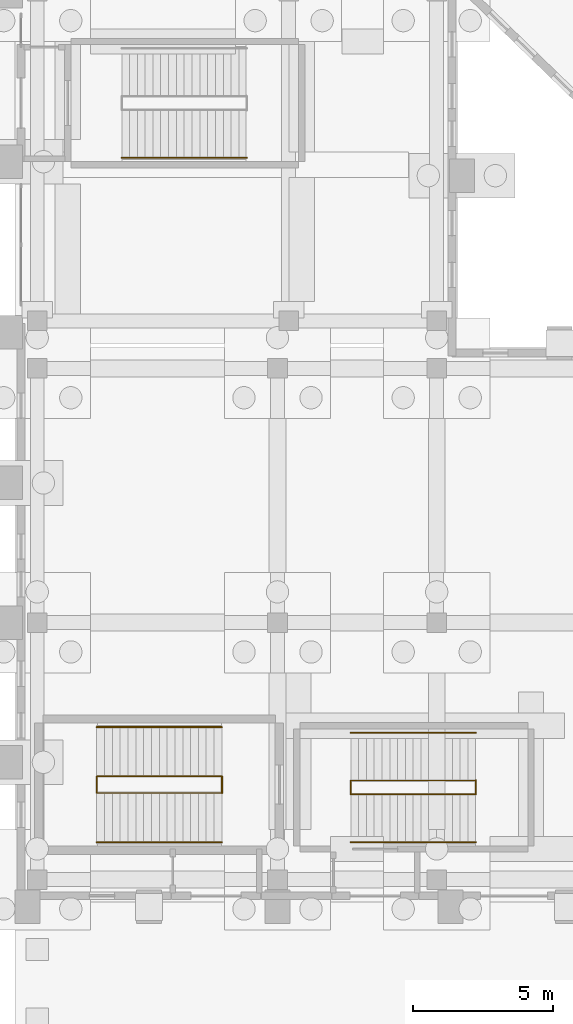
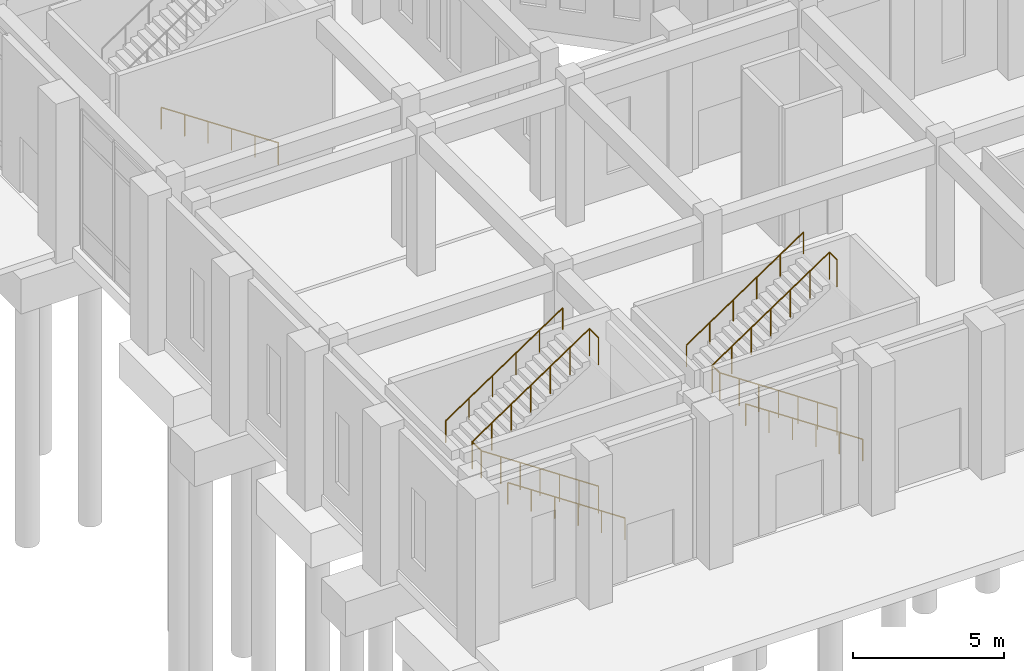
# One storey, part 128 of 143: 9 railings.
"""IFC4 building model written with IfcOpenShell, lengths in metres."""

from ifc_helpers import new_model, si_unit, derived_unit, direction, frame, origin, origin_2d, place, context, subcontext, project, spatial, circle, extrude, material, type_object, element, save


model = new_model("IFC4")

# Units and contexts
model_context = context("Model", 3, precision=1e-05, world=origin(), true_north=direction((0.0, 1.0)))
body_context = subcontext(model_context, "Body", "Model", "MODEL_VIEW")
ifc_project = project(units=[si_unit("LENGTHUNIT", "METRE"), si_unit("AREAUNIT", "SQUARE_METRE"), si_unit("VOLUMEUNIT", "CUBIC_METRE"), si_unit("PLANEANGLEUNIT", "RADIAN"), si_unit("MASSUNIT", "GRAM", prefix="KILO"), derived_unit("THERMALTRANSMITTANCEUNIT", [(si_unit("MASSUNIT", "GRAM", prefix="KILO"), 1), (si_unit("TIMEUNIT", "SECOND"), -3), (si_unit("THERMODYNAMICTEMPERATUREUNIT", "KELVIN"), -1)])], contexts=[model_context])

# Site, building, storey
site_placement = place(None, origin())
site = spatial("IfcSite", under=ifc_project, at=site_placement, CompositionType="ELEMENT")
building_placement = place(site_placement, origin())
building = spatial("IfcBuilding", under=site, at=building_placement, Name="Valcora Ridge Arena", CompositionType="ELEMENT")
storey_placement = place(building_placement, origin())
storey = spatial("IfcBuildingStorey", under=building, at=storey_placement, Name="L00", CompositionType="ELEMENT", Elevation=0.0)

# Railings
ifc_material = material(Name="Galvanized painted steel ASTM A500 Grade B", Category="steel")
railing_type_1 = type_object("IfcRailingType", Name="TY-RAILING-GRD-STAIR-1120", PredefinedType="GUARDRAIL", material=ifc_material)
railing_1_placement = place(storey_placement, frame((7.409912109375, 3.89990234375, 0.0)))
element("IfcRailing", 1, at=railing_1_placement, inside=storey, type_object=railing_type_1, Name="GRD-STAIR-1120 RAL-SG-0061", PredefinedType="GUARDRAIL", context=body_context, shape_type="SweptSolid", body=[
    extrude(circle(Radius=0.02392578125, at=origin_2d()), frame((0.0, 0.0, 1.09619140625), z_axis=(-0.830906055479, 0.0, 0.556412730775), x_axis=(0.0, -1.0, 0.0)), (0.0, 0.0, 1.0), 5.3916015625),
    extrude(circle(Radius=0.02392578125, at=origin_2d()), frame((-4.47998046875, 0.0, 4.09619140625), z_axis=(0.0, 1.0, 0.0), x_axis=(-1.0, 0.0, 0.0)), (0.0, 0.0, 1.0), 0.60009765625),
    extrude(circle(Radius=0.02392578125, at=origin_2d()), frame((-4.47998046875, 0.60009765625, 4.09619140625), z_axis=(0.830906055479, 0.0, 0.556412730775), x_axis=(0.0, 1.0, 0.0)), (0.0, 0.0, 1.0), 5.3916015625),
    extrude(circle(Radius=0.02099609375, at=origin_2d()), origin(), (0.0, 0.0, 1.0), 1.072021484375),
    extrude(circle(Radius=0.02099609375, at=origin_2d()), frame((-0.74658203125, 0.0, 0.5)), (0.0, 0.0, 1.0), 1.072021484375),
    extrude(circle(Radius=0.02099609375, at=origin_2d()), frame((-1.493408203125, 0.0, 1.0)), (0.0, 0.0, 1.0), 1.072021484375),
    extrude(circle(Radius=0.02099609375, at=origin_2d()), frame((-2.239990234375, 0.0, 1.5)), (0.0, 0.0, 1.0), 1.072021484375),
    extrude(circle(Radius=0.02099609375, at=origin_2d()), frame((-2.986572265625, 0.0, 2.0)), (0.0, 0.0, 1.0), 1.072021484375),
    extrude(circle(Radius=0.02099609375, at=origin_2d()), frame((-3.7333984375, 0.0, 2.5)), (0.0, 0.0, 1.0), 1.072021484375),
    extrude(circle(Radius=0.02099609375, at=origin_2d()), frame((-4.47998046875, 0.0, 3.0)), (0.0, 0.0, 1.0), 1.072021484375),
    extrude(circle(Radius=0.02099609375, at=origin_2d()), frame((-4.47998046875, 0.60009765625, 3.0)), (0.0, 0.0, 1.0), 1.072021484375),
    extrude(circle(Radius=0.02099609375, at=origin_2d()), frame((-3.7333984375, 0.60009765625, 3.5)), (0.0, 0.0, 1.0), 1.072021484375),
    extrude(circle(Radius=0.02099609375, at=origin_2d()), frame((-2.986572265625, 0.60009765625, 4.0)), (0.0, 0.0, 1.0), 1.072021484375),
    extrude(circle(Radius=0.02099609375, at=origin_2d()), frame((-2.239990234375, 0.60009765625, 4.5)), (0.0, 0.0, 1.0), 1.072021484375),
    extrude(circle(Radius=0.02099609375, at=origin_2d()), frame((-1.493408203125, 0.60009765625, 5.0)), (0.0, 0.0, 1.0), 1.072021484375),
    extrude(circle(Radius=0.02099609375, at=origin_2d()), frame((-0.74658203125, 0.60009765625, 5.5)), (0.0, 0.0, 1.0), 1.072021484375),
    extrude(circle(Radius=0.02099609375, at=origin_2d()), frame((0.0, 0.60009765625, 6.0)), (0.0, 0.0, 1.0), 1.072021484375),
])
railing_2_placement = place(storey_placement, frame((7.409912109375, 3.89990234375, 6.0)))
element("IfcRailing", 2, at=railing_2_placement, inside=storey, type_object=railing_type_1, Name="GRD-STAIR-1120 RAL-SG-0062", PredefinedType="GUARDRAIL", context=body_context, shape_type="SweptSolid", body=[
    extrude(circle(Radius=0.02392578125, at=origin_2d()), frame((0.0, 0.0, 1.09619140625), z_axis=(0.0, 1.0, 0.0), x_axis=(-1.0, 0.0, 0.0)), (0.0, 0.0, 1.0), 0.60009765625),
    extrude(circle(Radius=0.02099609375, at=origin_2d()), origin(), (0.0, 0.0, 1.0), 1.072021484375),
    extrude(circle(Radius=0.02099609375, at=origin_2d()), frame((0.0, 0.60009765625, 0.0)), (0.0, 0.0, 1.0), 1.072021484375),
])
railing_3_placement = place(storey_placement, frame((16.5, 3.85009765625, 0.0)))
element("IfcRailing", 3, at=railing_3_placement, inside=storey, type_object=railing_type_1, Name="GRD-STAIR-1120 RAL-SG-0129", PredefinedType="GUARDRAIL", context=body_context, shape_type="SweptSolid", body=[
    extrude(circle(Radius=0.02392578125, at=origin_2d()), frame((0.0, 0.0, 1.09619140625), z_axis=(-0.830906055479, 0.0, 0.556412730775), x_axis=(0.0, -1.0, 0.0)), (0.0, 0.0, 1.0), 5.3916015625),
    extrude(circle(Radius=0.02392578125, at=origin_2d()), frame((-4.47998046875, 0.0, 4.09619140625), z_axis=(0.0, 1.0, 0.0), x_axis=(-1.0, 0.0, 0.0)), (0.0, 0.0, 1.0), 0.5),
    extrude(circle(Radius=0.02392578125, at=origin_2d()), frame((-4.47998046875, 0.5, 4.09619140625), z_axis=(0.830906055479, 0.0, 0.556412730775), x_axis=(0.0, 1.0, 0.0)), (0.0, 0.0, 1.0), 5.3916015625),
    extrude(circle(Radius=0.02099609375, at=origin_2d()), origin(), (0.0, 0.0, 1.0), 1.072021484375),
    extrude(circle(Radius=0.02099609375, at=origin_2d()), frame((-0.74658203125, 0.0, 0.5)), (0.0, 0.0, 1.0), 1.072021484375),
    extrude(circle(Radius=0.02099609375, at=origin_2d()), frame((-1.493408203125, 0.0, 1.0)), (0.0, 0.0, 1.0), 1.072021484375),
    extrude(circle(Radius=0.02099609375, at=origin_2d()), frame((-2.239990234375, 0.0, 1.5)), (0.0, 0.0, 1.0), 1.072021484375),
    extrude(circle(Radius=0.02099609375, at=origin_2d()), frame((-2.986572265625, 0.0, 2.0)), (0.0, 0.0, 1.0), 1.072021484375),
    extrude(circle(Radius=0.02099609375, at=origin_2d()), frame((-3.7333984375, 0.0, 2.5)), (0.0, 0.0, 1.0), 1.072021484375),
    extrude(circle(Radius=0.02099609375, at=origin_2d()), frame((-4.47998046875, 0.0, 3.0)), (0.0, 0.0, 1.0), 1.072021484375),
    extrude(circle(Radius=0.02099609375, at=origin_2d()), frame((-4.47998046875, 0.5, 3.0)), (0.0, 0.0, 1.0), 1.072021484375),
    extrude(circle(Radius=0.02099609375, at=origin_2d()), frame((-3.7333984375, 0.5, 3.5)), (0.0, 0.0, 1.0), 1.072021484375),
    extrude(circle(Radius=0.02099609375, at=origin_2d()), frame((-2.986572265625, 0.5, 4.0)), (0.0, 0.0, 1.0), 1.072021484375),
    extrude(circle(Radius=0.02099609375, at=origin_2d()), frame((-2.239990234375, 0.5, 4.5)), (0.0, 0.0, 1.0), 1.072021484375),
    extrude(circle(Radius=0.02099609375, at=origin_2d()), frame((-1.493408203125, 0.5, 5.0)), (0.0, 0.0, 1.0), 1.072021484375),
    extrude(circle(Radius=0.02099609375, at=origin_2d()), frame((-0.74658203125, 0.5, 5.5)), (0.0, 0.0, 1.0), 1.072021484375),
    extrude(circle(Radius=0.02099609375, at=origin_2d()), frame((0.0, 0.5, 6.0)), (0.0, 0.0, 1.0), 1.072021484375),
])
railing_4_placement = place(storey_placement, frame((16.5, 3.85009765625, 6.0)))
element("IfcRailing", 4, at=railing_4_placement, inside=storey, type_object=railing_type_1, Name="GRD-STAIR-1120 RAL-SG-0130", PredefinedType="GUARDRAIL", context=body_context, shape_type="SweptSolid", body=[
    extrude(circle(Radius=0.02392578125, at=origin_2d()), frame((0.0, 0.0, 1.09619140625), z_axis=(0.0, 1.0, 0.0), x_axis=(-1.0, 0.0, 0.0)), (0.0, 0.0, 1.0), 0.5),
    extrude(circle(Radius=0.02099609375, at=origin_2d()), origin(), (0.0, 0.0, 1.0), 1.072021484375),
    extrude(circle(Radius=0.02099609375, at=origin_2d()), frame((0.0, 0.5, 0.0)), (0.0, 0.0, 1.0), 1.072021484375),
])
railing_type_2 = type_object("IfcRailingType", Name="TY-RAILING-HR-STAIR-900", PredefinedType="HANDRAIL", material=ifc_material)
railing_5_placement = place(storey_placement, frame((7.409912109375, 2.139892578125, 0.0)))
element("IfcRailing", 5, at=railing_5_placement, inside=storey, type_object=railing_type_2, Name="HR-STAIR-900 RAL-SH-0061", PredefinedType="HANDRAIL", context=body_context, shape_type="SweptSolid", body=[
    extrude(circle(Radius=0.02392578125, at=origin_2d()), frame((0.0, 0.0, 0.8759765625), z_axis=(-0.830906055479, 0.0, 0.556412730775), x_axis=(0.0, -1.0, 0.0)), (0.0, 0.0, 1.0), 5.3916015625),
    extrude(circle(Radius=0.02099609375, at=origin_2d()), origin(), (0.0, 0.0, 1.0), 0.851806640625),
    extrude(circle(Radius=0.02099609375, at=origin_2d()), frame((-0.89599609375, 0.0, 0.60009765625)), (0.0, 0.0, 1.0), 0.851806640625),
    extrude(circle(Radius=0.02099609375, at=origin_2d()), frame((-1.7919921875, 0.0, 1.199951171875)), (0.0, 0.0, 1.0), 0.851806640625),
    extrude(circle(Radius=0.02099609375, at=origin_2d()), frame((-2.68798828125, 0.0, 1.800048828125)), (0.0, 0.0, 1.0), 0.851806640625),
    extrude(circle(Radius=0.02099609375, at=origin_2d()), frame((-3.583984375, 0.0, 2.39990234375)), (0.0, 0.0, 1.0), 0.851806640625),
    extrude(circle(Radius=0.02099609375, at=origin_2d()), frame((-4.47998046875, 0.0, 3.0)), (0.0, 0.0, 1.0), 0.851806640625),
])
railing_6_placement = place(storey_placement, frame((2.929931640625, 6.260009765625, 3.0)))
element("IfcRailing", 6, at=railing_6_placement, inside=storey, type_object=railing_type_2, Name="HR-STAIR-900 RAL-SH-0062", PredefinedType="HANDRAIL", context=body_context, shape_type="SweptSolid", body=[
    extrude(circle(Radius=0.02392578125, at=origin_2d()), frame((0.0, 0.0, 0.8759765625), z_axis=(0.830906055479, 0.0, 0.556412730775), x_axis=(0.0, 1.0, 0.0)), (0.0, 0.0, 1.0), 5.3916015625),
    extrude(circle(Radius=0.02099609375, at=origin_2d()), origin(), (0.0, 0.0, 1.0), 0.851806640625),
    extrude(circle(Radius=0.02099609375, at=origin_2d()), frame((0.89599609375, 0.0, 0.60009765625)), (0.0, 0.0, 1.0), 0.851806640625),
    extrude(circle(Radius=0.02099609375, at=origin_2d()), frame((1.7919921875, 0.0, 1.199951171875)), (0.0, 0.0, 1.0), 0.851806640625),
    extrude(circle(Radius=0.02099609375, at=origin_2d()), frame((2.68798828125, 0.0, 1.800048828125)), (0.0, 0.0, 1.0), 0.851806640625),
    extrude(circle(Radius=0.02099609375, at=origin_2d()), frame((3.583984375, 0.0, 2.39990234375)), (0.0, 0.0, 1.0), 0.851806640625),
    extrude(circle(Radius=0.02099609375, at=origin_2d()), frame((4.47998046875, 0.0, 3.0)), (0.0, 0.0, 1.0), 0.851806640625),
])
railing_7_placement = place(storey_placement, frame((16.5, 2.139892578125, 0.0)))
element("IfcRailing", 7, at=railing_7_placement, inside=storey, type_object=railing_type_2, Name="HR-STAIR-900 RAL-SH-0129", PredefinedType="HANDRAIL", context=body_context, shape_type="SweptSolid", body=[
    extrude(circle(Radius=0.02392578125, at=origin_2d()), frame((0.0, 0.0, 0.8759765625), z_axis=(-0.830906055479, 0.0, 0.556412730775), x_axis=(0.0, -1.0, 0.0)), (0.0, 0.0, 1.0), 5.3916015625),
    extrude(circle(Radius=0.02099609375, at=origin_2d()), origin(), (0.0, 0.0, 1.0), 0.851806640625),
    extrude(circle(Radius=0.02099609375, at=origin_2d()), frame((-0.89599609375, 0.0, 0.60009765625)), (0.0, 0.0, 1.0), 0.851806640625),
    extrude(circle(Radius=0.02099609375, at=origin_2d()), frame((-1.7919921875, 0.0, 1.199951171875)), (0.0, 0.0, 1.0), 0.851806640625),
    extrude(circle(Radius=0.02099609375, at=origin_2d()), frame((-2.68798828125, 0.0, 1.800048828125)), (0.0, 0.0, 1.0), 0.851806640625),
    extrude(circle(Radius=0.02099609375, at=origin_2d()), frame((-3.583984375, 0.0, 2.39990234375)), (0.0, 0.0, 1.0), 0.851806640625),
    extrude(circle(Radius=0.02099609375, at=origin_2d()), frame((-4.47998046875, 0.0, 3.0)), (0.0, 0.0, 1.0), 0.851806640625),
])
railing_8_placement = place(storey_placement, frame((12.02001953125, 6.06005859375, 3.0)))
element("IfcRailing", 8, at=railing_8_placement, inside=storey, type_object=railing_type_2, Name="HR-STAIR-900 RAL-SH-0130", PredefinedType="HANDRAIL", context=body_context, shape_type="SweptSolid", body=[
    extrude(circle(Radius=0.02392578125, at=origin_2d()), frame((0.0, 0.0, 0.8759765625), z_axis=(0.830906055479, 0.0, 0.556412730775), x_axis=(0.0, 1.0, 0.0)), (0.0, 0.0, 1.0), 5.3916015625),
    extrude(circle(Radius=0.02099609375, at=origin_2d()), origin(), (0.0, 0.0, 1.0), 0.851806640625),
    extrude(circle(Radius=0.02099609375, at=origin_2d()), frame((0.89599609375, 0.0, 0.60009765625)), (0.0, 0.0, 1.0), 0.851806640625),
    extrude(circle(Radius=0.02099609375, at=origin_2d()), frame((1.7919921875, 0.0, 1.199951171875)), (0.0, 0.0, 1.0), 0.851806640625),
    extrude(circle(Radius=0.02099609375, at=origin_2d()), frame((2.68798828125, 0.0, 1.800048828125)), (0.0, 0.0, 1.0), 0.851806640625),
    extrude(circle(Radius=0.02099609375, at=origin_2d()), frame((3.583984375, 0.0, 2.39990234375)), (0.0, 0.0, 1.0), 0.851806640625),
    extrude(circle(Radius=0.02099609375, at=origin_2d()), frame((4.47998046875, 0.0, 3.0)), (0.0, 0.0, 1.0), 0.851806640625),
])
railing_9_placement = place(storey_placement, frame((8.300048828125, 26.639892578125, 0.0)))
element("IfcRailing", 9, at=railing_9_placement, inside=storey, type_object=railing_type_2, Name="HR-STAIR-900 RAL-SH-0141", PredefinedType="HANDRAIL", context=body_context, shape_type="SweptSolid", body=[
    extrude(circle(Radius=0.02392578125, at=origin_2d()), frame((0.0, 0.0, 0.8759765625), z_axis=(-0.830906055479, 0.0, 0.556412730775), x_axis=(0.0, -1.0, 0.0)), (0.0, 0.0, 1.0), 5.3916015625),
    extrude(circle(Radius=0.02099609375, at=origin_2d()), origin(), (0.0, 0.0, 1.0), 0.851806640625),
    extrude(circle(Radius=0.02099609375, at=origin_2d()), frame((-0.89599609375, 0.0, 0.60009765625)), (0.0, 0.0, 1.0), 0.851806640625),
    extrude(circle(Radius=0.02099609375, at=origin_2d()), frame((-1.7919921875, 0.0, 1.199951171875)), (0.0, 0.0, 1.0), 0.851806640625),
    extrude(circle(Radius=0.02099609375, at=origin_2d()), frame((-2.68798828125, 0.0, 1.800048828125)), (0.0, 0.0, 1.0), 0.851806640625),
    extrude(circle(Radius=0.02099609375, at=origin_2d()), frame((-3.583984375, 0.0, 2.39990234375)), (0.0, 0.0, 1.0), 0.851806640625),
    extrude(circle(Radius=0.02099609375, at=origin_2d()), frame((-4.47998046875, 0.0, 3.0)), (0.0, 0.0, 1.0), 0.851806640625),
])

save(model, "model.ifc")
